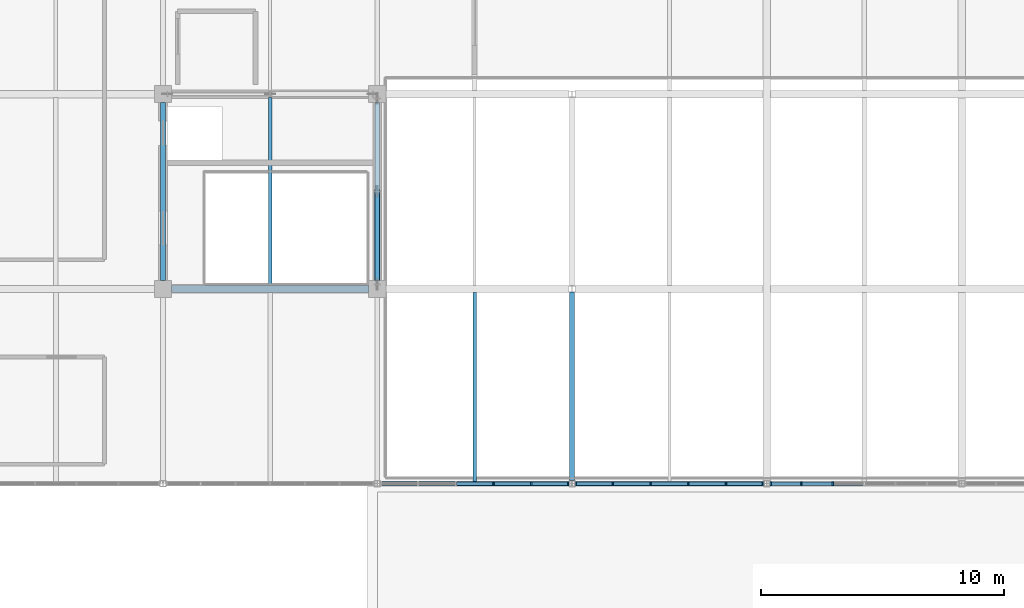
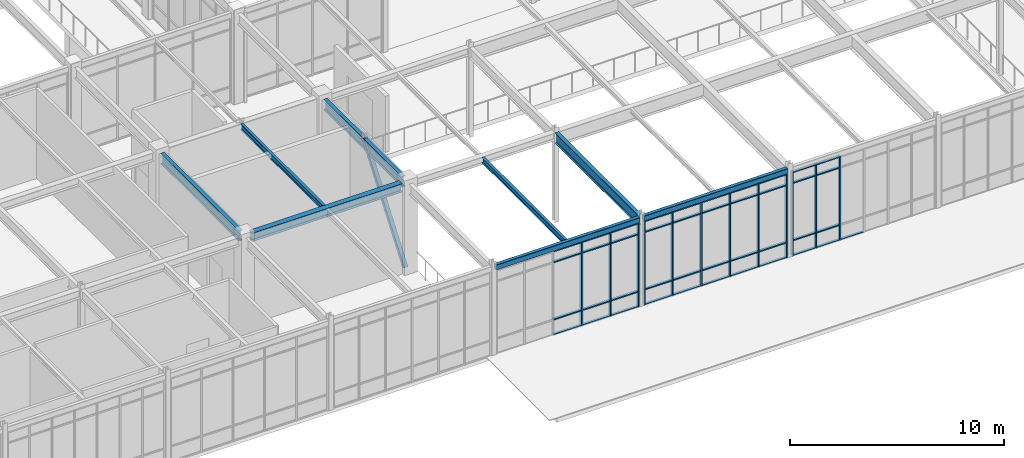
# One storey, part 31 of 184: 54 members, 8 beams, 3 elements without a shape of their own.
"""IFC4 building model written with IfcOpenShell, lengths in metres."""

import ifcopenshell
import ifcopenshell.guid

model = None  # the IFC model being written
_history = None  # IfcOwnerHistory: only IFC2X3 demands one
_inside = {}  # id of a spatial element -> (the spatial element, [elements in it])
_under = {}  # id of a project, library or spatial element -> (it, [spatial elements below it])
_declared = {}  # id of a project -> (the project, [libraries it declares])
_typed = {}  # id of a type object -> (the type object, [elements of that type])
_made_of = {}  # id of a material, layer set ... -> (it, [elements and type objects made of it])


def new_model(schema):
    """Start an empty IFC model of exactly this schema.

    Asked for "IFC4X3", IfcOpenShell would pick the latest addendum, in which some entities
    have other attributes; the version numbers below select the first issue.
    IFC2X3 requires an IfcOwnerHistory on every rooted entity: one is made here for all.
    """
    global model, _history
    if schema == "IFC4X3":
        model = ifcopenshell.file(schema_version=(4, 3, 0, 0))
    else:
        model = ifcopenshell.file(schema=schema)
    _inside.clear()
    _under.clear()
    _declared.clear()
    _typed.clear()
    _made_of.clear()
    _history = None
    if model.schema == "IFC2X3":
        org = make("IfcOrganization", Name="unknown")
        user = make(
            "IfcPersonAndOrganization",
            ThePerson=make("IfcPerson", FamilyName="unknown"),
            TheOrganization=org,
        )
        app = make(
            "IfcApplication",
            ApplicationDeveloper=org,
            Version="unknown",
            ApplicationFullName="unknown",
            ApplicationIdentifier="unknown",
        )
        _history = make(
            "IfcOwnerHistory",
            OwningUser=user,
            OwningApplication=app,
            ChangeAction="ADDED",
            CreationDate=0,
        )
    return model


def make(cls, **values):
    """One entity of the class cls with the attributes given. An attribute that is None is left unset."""
    return model.create_entity(
        cls, **{name: value for name, value in values.items() if value is not None}
    )


def rooted(cls, **values):
    """An entity with a GlobalId (a new one), such as an element, a storey or a relation."""
    return make(cls, GlobalId=ifcopenshell.guid.new(), OwnerHistory=_history, **values)


def si_unit(unit_type, name, prefix=None):
    """IfcSIUnit, for example si_unit("LENGTHUNIT", "METRE", prefix="MILLI")."""
    return make("IfcSIUnit", UnitType=unit_type, Prefix=prefix, Name=name)


def assignment(units):
    """IfcUnitAssignment: the units of a project."""
    return None if units is None else make("IfcUnitAssignment", Units=units)


def point(xyz):
    """IfcCartesianPoint."""
    return None if xyz is None else make("IfcCartesianPoint", Coordinates=xyz)


def direction(xyz):
    """IfcDirection."""
    return None if xyz is None else make("IfcDirection", DirectionRatios=xyz)


def frame(location, z_axis=None, x_axis=None):
    """IfcAxis2Placement3D, a coordinate frame: its origin and axes. An axis left out is left unset."""
    return make(
        "IfcAxis2Placement3D",
        Location=point(location),
        Axis=direction(z_axis),
        RefDirection=direction(x_axis),
    )


def frame_2d(location, x_axis=None):
    """IfcAxis2Placement2D, a coordinate frame in the plane: its origin and x axis."""
    return make(
        "IfcAxis2Placement2D", Location=point(location), RefDirection=direction(x_axis)
    )


def origin():
    """The frame at (0, 0, 0) with its axes left unset."""
    return frame((0.0, 0.0, 0.0))


def origin_2d():
    """The frame at (0, 0) in the plane with its x axis left unset."""
    return frame_2d((0.0, 0.0))


def place(relative_to, where):
    """IfcLocalPlacement: puts the frame where relative to a parent placement (None: the world)."""
    return make(
        "IfcLocalPlacement", PlacementRelTo=relative_to, RelativePlacement=where
    )


def context(
    kind, dimensions, precision=None, world=None, true_north=None, identifier=None
):
    """IfcGeometricRepresentationContext, for example the 3D "Model" context."""
    return make(
        "IfcGeometricRepresentationContext",
        ContextIdentifier=identifier,
        ContextType=kind,
        CoordinateSpaceDimension=dimensions,
        Precision=precision,
        WorldCoordinateSystem=world,
        TrueNorth=true_north,
    )


def subcontext(parent, identifier, kind, view, scale=None):
    """IfcGeometricRepresentationSubContext, for example "Body" below "Model"."""
    return make(
        "IfcGeometricRepresentationSubContext",
        ContextIdentifier=identifier,
        ContextType=kind,
        ParentContext=parent,
        TargetScale=scale,
        TargetView=view,
    )


def project(units=None, contexts=None):
    """IfcProject with its units and contexts."""
    return rooted(
        "IfcProject",
        Name="project",
        RepresentationContexts=contexts,
        UnitsInContext=assignment(units),
    )


def spatial(cls, under=None, at=None, **own):
    """A site, building, storey or space (cls), placed at a placement, below another one or the project."""
    s = rooted(cls, ObjectPlacement=at, **own)
    if under is not None:
        _under.setdefault(under.id(), (under, []))[1].append(s)
    return s


def profile(cls, at=None, kind="AREA", **sizes):
    """A parametric profile (cls). Its sizes go by their IFC names, for example OverallWidth=200.0."""
    return make(cls, ProfileType=kind, Position=at, **sizes)


def rectangle(**sizes):
    """IfcRectangleProfileDef."""
    return profile("IfcRectangleProfileDef", **sizes)


def hollow_rectangle(**sizes):
    """IfcRectangleHollowProfileDef."""
    return profile("IfcRectangleHollowProfileDef", **sizes)


def i_section(**sizes):
    """IfcIShapeProfileDef."""
    return profile("IfcIShapeProfileDef", **sizes)


def extrude(swept, where, along, depth):
    """IfcExtrudedAreaSolid: the profile swept, set in the frame where, extruded along a direction by depth."""
    return make(
        "IfcExtrudedAreaSolid",
        SweptArea=swept,
        Position=where,
        ExtrudedDirection=direction(along),
        Depth=depth,
    )


def shape(context_of_items, identifier, shape_type, items):
    """IfcShapeRepresentation: the items that make up one representation, for example the "Body"."""
    return make(
        "IfcShapeRepresentation",
        ContextOfItems=context_of_items,
        RepresentationIdentifier=identifier,
        RepresentationType=shape_type,
        Items=items,
    )


def material(Name=None, Category=None):
    """IfcMaterial."""
    return make("IfcMaterial", Name=Name, Category=Category)


def material_profile(
    of_material, cross_section, Name=None, Category=None, Priority=None
):
    """IfcMaterialProfile: a cross section and its material."""
    return make(
        "IfcMaterialProfile",
        Name=Name,
        Material=of_material,
        Profile=cross_section,
        Priority=Priority,
        Category=Category,
    )


def profile_set(profiles, Name=None, composite=None):
    """IfcMaterialProfileSet."""
    return make(
        "IfcMaterialProfileSet",
        Name=Name,
        MaterialProfiles=profiles,
        CompositeProfile=composite,
    )


def made_of(thing, what):
    """Note that an element or type object is made of a material, layer set ...; save() writes the relation."""
    if what is not None:
        _made_of.setdefault(what.id(), (what, []))[1].append(thing)
    return thing


def type_object(cls, material=None, **own):
    """A type object (cls), such as IfcWallType, which elements share."""
    return made_of(rooted(cls, **own), material)


def element(
    cls,
    number,
    at=None,
    inside=None,
    cuts=None,
    type_object=None,
    material=None,
    context=None,
    identifier="Body",
    shape_type=None,
    held_by="IfcProductDefinitionShape",
    body=None,
    shapes=None,
    **own,
):
    """One element of the class cls, such as IfcWall. Its Tag is "e" and its number.

    at: its placement. inside: the storey or other place that contains it. cuts: it is an
    opening in that element (IfcRelVoidsElement). A single representation is given by context,
    identifier, shape_type and body (its items); several are given by shapes. held_by: the class
    of the entity that holds the representations. save() writes the other relations.
    """
    e = rooted(cls, Tag="e%d" % number, ObjectPlacement=at, **own)
    if body is not None:
        shapes = [shape(context, identifier, shape_type, body)]
    if shapes is not None:
        e.Representation = make(held_by, Representations=shapes)
    if inside is not None:
        _inside.setdefault(inside.id(), (inside, []))[1].append(e)
    if cuts is not None:
        rooted(
            "IfcRelVoidsElement", RelatingBuildingElement=cuts, RelatedOpeningElement=e
        )
    if type_object is not None:
        _typed.setdefault(type_object.id(), (type_object, []))[1].append(e)
    return made_of(e, material)


def aggregate(whole, parts):
    """IfcRelAggregates: a whole, such as a stair, and the parts it consists of."""
    return rooted("IfcRelAggregates", RelatingObject=whole, RelatedObjects=parts)


def save(model, path):
    """Write the relations noted so far, then the file.

    IfcRelAggregates (storeys below a building ...), IfcRelContainedInSpatialStructure (elements
    in a storey), IfcRelDefinesByType, IfcRelAssociatesMaterial and IfcRelDeclares: one each for
    every whole, place, type object, material and project.
    """
    for whole, parts in _under.values():
        aggregate(whole, parts)
    for where, things in _inside.values():
        rooted(
            "IfcRelContainedInSpatialStructure",
            RelatedElements=things,
            RelatingStructure=where,
        )
    for kind, things in _typed.values():
        rooted("IfcRelDefinesByType", RelatedObjects=things, RelatingType=kind)
    for what, things in _made_of.values():
        rooted("IfcRelAssociatesMaterial", RelatedObjects=things, RelatingMaterial=what)
    for by, libraries in _declared.values():
        rooted("IfcRelDeclares", RelatingContext=by, RelatedDefinitions=libraries)
    model.write(path)


model = new_model("IFC4")

# Units and contexts
model_context = context("Model", 3, precision=1e-05, world=origin(), true_north=direction((0.0, 1.0)))
body_context = subcontext(model_context, "Body", "Model", "MODEL_VIEW")
ifc_project = project(units=[si_unit("LENGTHUNIT", "METRE"), si_unit("AREAUNIT", "SQUARE_METRE"), si_unit("VOLUMEUNIT", "CUBIC_METRE"), si_unit("PLANEANGLEUNIT", "RADIAN"), si_unit("MASSUNIT", "GRAM", prefix="KILO")], contexts=[model_context])

# Site, building, storey
site_placement = place(None, origin())
site = spatial("IfcSite", under=ifc_project, at=site_placement, CompositionType="ELEMENT")
building_placement = place(site_placement, origin())
building = spatial("IfcBuilding", under=site, at=building_placement, Name="Zhaolan Boulevard Law Courts", CompositionType="ELEMENT")
storey_placement = place(building_placement, frame((0.0, 0.0, 5.39990234375)))
storey = spatial("IfcBuildingStorey", under=building, at=storey_placement, Name="L01", CompositionType="ELEMENT", Elevation=5.39990234375)

# Member
ifc_material_1 = material(Name="Structural steel Q355B", Category="steel")
ifc_material_profile_1 = material_profile(ifc_material_1, hollow_rectangle(XDim=0.219970703125, YDim=0.219970703125, WallThickness=0.010009765625, InnerFilletRadius=0.010009765625, OuterFilletRadius=0.02001953125, at=origin_2d()), Name="HSS220x220x10")
ifc_profile_set_1 = profile_set([ifc_material_profile_1], Name="Structural steel Q355B")
member_type_1 = type_object("IfcMemberType", Name="BRACE HSS220", PredefinedType="BRACE", material=ifc_profile_set_1)
member_1_placement = place(storey_placement, frame((44.0, 14.179931640625, 0.030029296875), z_axis=(0.0, 0.600251625626, 0.799811218935), x_axis=(-1.0, 0.0, 0.0)))
element("IfcMember", 1, at=member_1_placement, inside=storey, type_object=member_type_1, Name="Core Brace BR-P1-L01-E1", PredefinedType="BRACE", context=body_context, shape_type="SweptSolid", body=[
    extrude(hollow_rectangle(XDim=0.219970703125, YDim=0.219970703125, WallThickness=0.010009765625, InnerFilletRadius=0.010009765625, OuterFilletRadius=0.02001953125, at=origin_2d()), origin(), (0.0, 0.0, 1.0), 6.364013671875),
])

# Curtain wall, members
ifc_material_2 = material(Name="Thermally broken aluminium and low-E glazing", Category="aluminium")
curtain_wall_type_1 = type_object("IfcCurtainWallType", Name="CURTAIN WALL M9", PredefinedType="USERDEFINED", material=ifc_material_2)
curtain_wall_1_placement = place(storey_placement, origin())
curtain_wall_1 = element("IfcCurtainWall", 2, at=curtain_wall_1_placement, inside=storey, type_object=curtain_wall_type_1, Name="Curtain Wall CW-L01-033", ObjectType="CURTAIN WALL", PredefinedType="USERDEFINED")
ifc_material_3 = material(Name="Fluorocarbon-coated aluminium 6063-T6", Category="aluminium")
ifc_material_profile_2 = material_profile(ifc_material_3, rectangle(XDim=0.179931640625, YDim=0.06494140625, at=origin_2d()), Name="AL65x180")
ifc_profile_set_2 = profile_set([ifc_material_profile_2], Name="Fluorocarbon-coated aluminium 6063-T6")
member_type_2 = type_object("IfcMemberType", Name="CWMULLION 65X180", PredefinedType="MULLION", material=ifc_profile_set_2)
member_2_placement = place(storey_placement, frame((48.774658203125, 6.0, 0.0), z_axis=(0.0, 0.0, 1.0), x_axis=(0.0, 1.0, 0.0)))
member_2 = element("IfcMember", 3, at=member_2_placement, type_object=member_type_2, Name="CW-L01-033 mullion 4", PredefinedType="MULLION", context=body_context, shape_type="SweptSolid", body=[
    extrude(rectangle(XDim=0.179931640625, YDim=0.06494140625, at=origin_2d()), origin(), (0.0, 0.0, 1.0), 4.822998046875),
])
member_3_placement = place(storey_placement, frame((50.32373046875, 6.0, 0.0), z_axis=(0.0, 0.0, 1.0), x_axis=(0.0, 1.0, 0.0)))
member_3 = element("IfcMember", 4, at=member_3_placement, type_object=member_type_2, Name="CW-L01-033 mullion 5", PredefinedType="MULLION", context=body_context, shape_type="SweptSolid", body=[
    extrude(rectangle(XDim=0.179931640625, YDim=0.06494140625, at=origin_2d()), origin(), (0.0, 0.0, 1.0), 4.822998046875),
])
member_4_placement = place(storey_placement, frame((51.840576171875, 6.0, 0.0), z_axis=(0.0, 0.0, 1.0), x_axis=(0.0, 1.0, 0.0)))
member_4 = element("IfcMember", 5, at=member_4_placement, type_object=member_type_2, Name="CW-L01-033 mullion 6", PredefinedType="MULLION", context=body_context, shape_type="SweptSolid", body=[
    extrude(rectangle(XDim=0.179931640625, YDim=0.06494140625, at=origin_2d()), origin(), (0.0, 0.0, 1.0), 4.822998046875),
])

ifc_material_4 = material(Name="Thermally broken aluminium and low-E glazing", Category="aluminium")
curtain_wall_type_2 = type_object("IfcCurtainWallType", Name="CURTAIN WALL M10", PredefinedType="USERDEFINED", material=ifc_material_4)
curtain_wall_2_placement = place(storey_placement, origin())
curtain_wall_2 = element("IfcCurtainWall", 6, at=curtain_wall_2_placement, inside=storey, type_object=curtain_wall_type_2, Name="Curtain Wall CW-L01-034", ObjectType="CURTAIN WALL", PredefinedType="USERDEFINED")
member_5_placement = place(storey_placement, frame((52.159423828125, 6.0, 0.0), z_axis=(0.0, 0.0, 1.0), x_axis=(0.0, 1.0, 0.0)))
member_5 = element("IfcMember", 7, at=member_5_placement, type_object=member_type_2, Name="CW-L01-034 mullion 1", PredefinedType="MULLION", context=body_context, shape_type="SweptSolid", body=[
    extrude(rectangle(XDim=0.179931640625, YDim=0.06494140625, at=origin_2d()), origin(), (0.0, 0.0, 1.0), 4.822998046875),
])
member_6_placement = place(storey_placement, frame((53.67626953125, 6.0, 0.0), z_axis=(0.0, 0.0, 1.0), x_axis=(0.0, 1.0, 0.0)))
member_6 = element("IfcMember", 8, at=member_6_placement, type_object=member_type_2, Name="CW-L01-034 mullion 2", PredefinedType="MULLION", context=body_context, shape_type="SweptSolid", body=[
    extrude(rectangle(XDim=0.179931640625, YDim=0.06494140625, at=origin_2d()), origin(), (0.0, 0.0, 1.0), 4.822998046875),
])
member_7_placement = place(storey_placement, frame((55.225341796875, 6.0, 0.0), z_axis=(0.0, 0.0, 1.0), x_axis=(0.0, 1.0, 0.0)))
member_7 = element("IfcMember", 9, at=member_7_placement, type_object=member_type_2, Name="CW-L01-034 mullion 3", PredefinedType="MULLION", context=body_context, shape_type="SweptSolid", body=[
    extrude(rectangle(XDim=0.179931640625, YDim=0.06494140625, at=origin_2d()), origin(), (0.0, 0.0, 1.0), 4.822998046875),
])
member_8_placement = place(storey_placement, frame((56.774658203125, 6.0, 0.0), z_axis=(0.0, 0.0, 1.0), x_axis=(0.0, 1.0, 0.0)))
member_8 = element("IfcMember", 10, at=member_8_placement, type_object=member_type_2, Name="CW-L01-034 mullion 4", PredefinedType="MULLION", context=body_context, shape_type="SweptSolid", body=[
    extrude(rectangle(XDim=0.179931640625, YDim=0.06494140625, at=origin_2d()), origin(), (0.0, 0.0, 1.0), 4.822998046875),
])
member_9_placement = place(storey_placement, frame((58.32373046875, 6.0, 0.0), z_axis=(0.0, 0.0, 1.0), x_axis=(0.0, 1.0, 0.0)))
member_9 = element("IfcMember", 11, at=member_9_placement, type_object=member_type_2, Name="CW-L01-034 mullion 5", PredefinedType="MULLION", context=body_context, shape_type="SweptSolid", body=[
    extrude(rectangle(XDim=0.179931640625, YDim=0.06494140625, at=origin_2d()), origin(), (0.0, 0.0, 1.0), 4.822998046875),
])
member_10_placement = place(storey_placement, frame((59.840576171875, 6.0, 0.0), z_axis=(0.0, 0.0, 1.0), x_axis=(0.0, 1.0, 0.0)))
member_10 = element("IfcMember", 12, at=member_10_placement, type_object=member_type_2, Name="CW-L01-034 mullion 6", PredefinedType="MULLION", context=body_context, shape_type="SweptSolid", body=[
    extrude(rectangle(XDim=0.179931640625, YDim=0.06494140625, at=origin_2d()), origin(), (0.0, 0.0, 1.0), 4.822998046875),
])

ifc_material_5 = material(Name="Thermally broken aluminium and low-E glazing", Category="aluminium")
curtain_wall_type_3 = type_object("IfcCurtainWallType", Name="CURTAIN WALL M11", PredefinedType="USERDEFINED", material=ifc_material_5)
curtain_wall_3_placement = place(storey_placement, origin())
curtain_wall_3 = element("IfcCurtainWall", 13, at=curtain_wall_3_placement, inside=storey, type_object=curtain_wall_type_3, Name="Curtain Wall CW-L01-035", ObjectType="CURTAIN WALL", PredefinedType="USERDEFINED")
member_11_placement = place(storey_placement, frame((60.159423828125, 6.0, 0.0), z_axis=(0.0, 0.0, 1.0), x_axis=(0.0, 1.0, 0.0)))
member_11 = element("IfcMember", 14, at=member_11_placement, type_object=member_type_2, Name="CW-L01-035 mullion 1", PredefinedType="MULLION", context=body_context, shape_type="SweptSolid", body=[
    extrude(rectangle(XDim=0.179931640625, YDim=0.06494140625, at=origin_2d()), origin(), (0.0, 0.0, 1.0), 4.822998046875),
])
member_12_placement = place(storey_placement, frame((61.41796875, 6.0, 0.0), z_axis=(0.0, 0.0, 1.0), x_axis=(0.0, 1.0, 0.0)))
member_12 = element("IfcMember", 15, at=member_12_placement, type_object=member_type_2, Name="CW-L01-035 mullion 2", PredefinedType="MULLION", context=body_context, shape_type="SweptSolid", body=[
    extrude(rectangle(XDim=0.179931640625, YDim=0.06494140625, at=origin_2d()), origin(), (0.0, 0.0, 1.0), 4.822998046875),
])
member_13_placement = place(storey_placement, frame((62.708984375, 6.0, 0.0), z_axis=(0.0, 0.0, 1.0), x_axis=(0.0, 1.0, 0.0)))
member_13 = element("IfcMember", 16, at=member_13_placement, type_object=member_type_2, Name="CW-L01-035 mullion 3", PredefinedType="MULLION", context=body_context, shape_type="SweptSolid", body=[
    extrude(rectangle(XDim=0.179931640625, YDim=0.06494140625, at=origin_2d()), origin(), (0.0, 0.0, 1.0), 4.822998046875),
])

# Member
ifc_material_6 = material(Name="Fluorocarbon-coated aluminium 6063-T6", Category="aluminium")
ifc_material_profile_3 = material_profile(ifc_material_6, rectangle(XDim=0.139892578125, YDim=0.06494140625, at=origin_2d()), Name="AL65x140")
ifc_profile_set_3 = profile_set([ifc_material_profile_3], Name="Fluorocarbon-coated aluminium 6063-T6")
member_type_3 = type_object("IfcMemberType", Name="CWTRANSOM 65X140", PredefinedType="USERDEFINED", material=ifc_profile_set_3)
member_14_placement = place(storey_placement, frame((47.2578125, 6.0, 0.03271484375), z_axis=(1.0, 0.0, 0.0), x_axis=(0.0, 1.0, 0.0)))
member_14 = element("IfcMember", 17, at=member_14_placement, type_object=member_type_3, Name="CW-L01-033 transom 3.1", ObjectType="TRANSOM", PredefinedType="USERDEFINED", context=body_context, shape_type="SweptSolid", body=[
    extrude(rectangle(XDim=0.139892578125, YDim=0.06494140625, at=origin_2d()), origin(), (0.0, 0.0, 1.0), 1.484375),
])

member_15_placement = place(storey_placement, frame((47.2578125, 6.0, 0.900146484375), z_axis=(1.0, 0.0, 0.0), x_axis=(0.0, 1.0, 0.0)))
member_15 = element("IfcMember", 18, at=member_15_placement, type_object=member_type_3, Name="CW-L01-033 transom 3.2", ObjectType="TRANSOM", PredefinedType="USERDEFINED", context=body_context, shape_type="SweptSolid", body=[
    extrude(rectangle(XDim=0.139892578125, YDim=0.06494140625, at=origin_2d()), origin(), (0.0, 0.0, 1.0), 1.484375),
])

member_16_placement = place(storey_placement, frame((47.2578125, 6.0, 4.173095703125), z_axis=(1.0, 0.0, 0.0), x_axis=(0.0, 1.0, 0.0)))
member_16 = element("IfcMember", 19, at=member_16_placement, type_object=member_type_3, Name="CW-L01-033 transom 3.3", ObjectType="TRANSOM", PredefinedType="USERDEFINED", context=body_context, shape_type="SweptSolid", body=[
    extrude(rectangle(XDim=0.139892578125, YDim=0.06494140625, at=origin_2d()), origin(), (0.0, 0.0, 1.0), 1.484375),
])

member_17_placement = place(storey_placement, frame((47.2578125, 6.0, 4.79052734375), z_axis=(1.0, 0.0, 0.0), x_axis=(0.0, 1.0, 0.0)))
member_17 = element("IfcMember", 20, at=member_17_placement, type_object=member_type_3, Name="CW-L01-033 transom 3.4", ObjectType="TRANSOM", PredefinedType="USERDEFINED", context=body_context, shape_type="SweptSolid", body=[
    extrude(rectangle(XDim=0.139892578125, YDim=0.06494140625, at=origin_2d()), origin(), (0.0, 0.0, 1.0), 1.484375),
])

member_18_placement = place(storey_placement, frame((48.80712890625, 6.0, 0.03271484375), z_axis=(1.0, 0.0, 0.0), x_axis=(0.0, 1.0, 0.0)))
member_18 = element("IfcMember", 21, at=member_18_placement, type_object=member_type_3, Name="CW-L01-033 transom 4.1", ObjectType="TRANSOM", PredefinedType="USERDEFINED", context=body_context, shape_type="SweptSolid", body=[
    extrude(rectangle(XDim=0.139892578125, YDim=0.06494140625, at=origin_2d()), origin(), (0.0, 0.0, 1.0), 1.484130859375),
])

member_19_placement = place(storey_placement, frame((48.80712890625, 6.0, 0.900146484375), z_axis=(1.0, 0.0, 0.0), x_axis=(0.0, 1.0, 0.0)))
member_19 = element("IfcMember", 22, at=member_19_placement, type_object=member_type_3, Name="CW-L01-033 transom 4.2", ObjectType="TRANSOM", PredefinedType="USERDEFINED", context=body_context, shape_type="SweptSolid", body=[
    extrude(rectangle(XDim=0.139892578125, YDim=0.06494140625, at=origin_2d()), origin(), (0.0, 0.0, 1.0), 1.484130859375),
])

member_20_placement = place(storey_placement, frame((48.80712890625, 6.0, 4.173095703125), z_axis=(1.0, 0.0, 0.0), x_axis=(0.0, 1.0, 0.0)))
member_20 = element("IfcMember", 23, at=member_20_placement, type_object=member_type_3, Name="CW-L01-033 transom 4.3", ObjectType="TRANSOM", PredefinedType="USERDEFINED", context=body_context, shape_type="SweptSolid", body=[
    extrude(rectangle(XDim=0.139892578125, YDim=0.06494140625, at=origin_2d()), origin(), (0.0, 0.0, 1.0), 1.484130859375),
])

member_21_placement = place(storey_placement, frame((48.80712890625, 6.0, 4.79052734375), z_axis=(1.0, 0.0, 0.0), x_axis=(0.0, 1.0, 0.0)))
member_21 = element("IfcMember", 24, at=member_21_placement, type_object=member_type_3, Name="CW-L01-033 transom 4.4", ObjectType="TRANSOM", PredefinedType="USERDEFINED", context=body_context, shape_type="SweptSolid", body=[
    extrude(rectangle(XDim=0.139892578125, YDim=0.06494140625, at=origin_2d()), origin(), (0.0, 0.0, 1.0), 1.484130859375),
])

member_22_placement = place(storey_placement, frame((50.356201171875, 6.0, 0.03271484375), z_axis=(1.0, 0.0, 0.0), x_axis=(0.0, 1.0, 0.0)))
member_22 = element("IfcMember", 25, at=member_22_placement, type_object=member_type_3, Name="CW-L01-033 transom 5.1", ObjectType="TRANSOM", PredefinedType="USERDEFINED", context=body_context, shape_type="SweptSolid", body=[
    extrude(rectangle(XDim=0.139892578125, YDim=0.06494140625, at=origin_2d()), origin(), (0.0, 0.0, 1.0), 1.451904296875),
])

member_23_placement = place(storey_placement, frame((50.356201171875, 6.0, 0.900146484375), z_axis=(1.0, 0.0, 0.0), x_axis=(0.0, 1.0, 0.0)))
member_23 = element("IfcMember", 26, at=member_23_placement, type_object=member_type_3, Name="CW-L01-033 transom 5.2", ObjectType="TRANSOM", PredefinedType="USERDEFINED", context=body_context, shape_type="SweptSolid", body=[
    extrude(rectangle(XDim=0.139892578125, YDim=0.06494140625, at=origin_2d()), origin(), (0.0, 0.0, 1.0), 1.451904296875),
])

member_24_placement = place(storey_placement, frame((50.356201171875, 6.0, 4.173095703125), z_axis=(1.0, 0.0, 0.0), x_axis=(0.0, 1.0, 0.0)))
member_24 = element("IfcMember", 27, at=member_24_placement, type_object=member_type_3, Name="CW-L01-033 transom 5.3", ObjectType="TRANSOM", PredefinedType="USERDEFINED", context=body_context, shape_type="SweptSolid", body=[
    extrude(rectangle(XDim=0.139892578125, YDim=0.06494140625, at=origin_2d()), origin(), (0.0, 0.0, 1.0), 1.451904296875),
])

member_25_placement = place(storey_placement, frame((50.356201171875, 6.0, 4.79052734375), z_axis=(1.0, 0.0, 0.0), x_axis=(0.0, 1.0, 0.0)))
member_25 = element("IfcMember", 28, at=member_25_placement, type_object=member_type_3, Name="CW-L01-033 transom 5.4", ObjectType="TRANSOM", PredefinedType="USERDEFINED", context=body_context, shape_type="SweptSolid", body=[
    extrude(rectangle(XDim=0.139892578125, YDim=0.06494140625, at=origin_2d()), origin(), (0.0, 0.0, 1.0), 1.451904296875),
])

aggregate(curtain_wall_1, [member_2, member_3, member_4, member_14, member_15, member_16, member_17, member_18, member_19, member_20, member_21, member_22, member_23, member_24, member_25])

member_26_placement = place(storey_placement, frame((52.19189453125, 6.0, 0.03271484375), z_axis=(1.0, 0.0, 0.0), x_axis=(0.0, 1.0, 0.0)))
member_26 = element("IfcMember", 29, at=member_26_placement, type_object=member_type_3, Name="CW-L01-034 transom 1.1", ObjectType="TRANSOM", PredefinedType="USERDEFINED", context=body_context, shape_type="SweptSolid", body=[
    extrude(rectangle(XDim=0.139892578125, YDim=0.06494140625, at=origin_2d()), origin(), (0.0, 0.0, 1.0), 1.451904296875),
])

member_27_placement = place(storey_placement, frame((52.19189453125, 6.0, 0.900146484375), z_axis=(1.0, 0.0, 0.0), x_axis=(0.0, 1.0, 0.0)))
member_27 = element("IfcMember", 30, at=member_27_placement, type_object=member_type_3, Name="CW-L01-034 transom 1.2", ObjectType="TRANSOM", PredefinedType="USERDEFINED", context=body_context, shape_type="SweptSolid", body=[
    extrude(rectangle(XDim=0.139892578125, YDim=0.06494140625, at=origin_2d()), origin(), (0.0, 0.0, 1.0), 1.451904296875),
])

member_28_placement = place(storey_placement, frame((52.19189453125, 6.0, 4.173095703125), z_axis=(1.0, 0.0, 0.0), x_axis=(0.0, 1.0, 0.0)))
member_28 = element("IfcMember", 31, at=member_28_placement, type_object=member_type_3, Name="CW-L01-034 transom 1.3", ObjectType="TRANSOM", PredefinedType="USERDEFINED", context=body_context, shape_type="SweptSolid", body=[
    extrude(rectangle(XDim=0.139892578125, YDim=0.06494140625, at=origin_2d()), origin(), (0.0, 0.0, 1.0), 1.451904296875),
])

member_29_placement = place(storey_placement, frame((52.19189453125, 6.0, 4.79052734375), z_axis=(1.0, 0.0, 0.0), x_axis=(0.0, 1.0, 0.0)))
member_29 = element("IfcMember", 32, at=member_29_placement, type_object=member_type_3, Name="CW-L01-034 transom 1.4", ObjectType="TRANSOM", PredefinedType="USERDEFINED", context=body_context, shape_type="SweptSolid", body=[
    extrude(rectangle(XDim=0.139892578125, YDim=0.06494140625, at=origin_2d()), origin(), (0.0, 0.0, 1.0), 1.451904296875),
])

member_30_placement = place(storey_placement, frame((53.708740234375, 6.0, 0.03271484375), z_axis=(1.0, 0.0, 0.0), x_axis=(0.0, 1.0, 0.0)))
member_30 = element("IfcMember", 33, at=member_30_placement, type_object=member_type_3, Name="CW-L01-034 transom 2.1", ObjectType="TRANSOM", PredefinedType="USERDEFINED", context=body_context, shape_type="SweptSolid", body=[
    extrude(rectangle(XDim=0.139892578125, YDim=0.06494140625, at=origin_2d()), origin(), (0.0, 0.0, 1.0), 1.484130859375),
])

member_31_placement = place(storey_placement, frame((53.708740234375, 6.0, 0.900146484375), z_axis=(1.0, 0.0, 0.0), x_axis=(0.0, 1.0, 0.0)))
member_31 = element("IfcMember", 34, at=member_31_placement, type_object=member_type_3, Name="CW-L01-034 transom 2.2", ObjectType="TRANSOM", PredefinedType="USERDEFINED", context=body_context, shape_type="SweptSolid", body=[
    extrude(rectangle(XDim=0.139892578125, YDim=0.06494140625, at=origin_2d()), origin(), (0.0, 0.0, 1.0), 1.484130859375),
])

member_32_placement = place(storey_placement, frame((53.708740234375, 6.0, 4.173095703125), z_axis=(1.0, 0.0, 0.0), x_axis=(0.0, 1.0, 0.0)))
member_32 = element("IfcMember", 35, at=member_32_placement, type_object=member_type_3, Name="CW-L01-034 transom 2.3", ObjectType="TRANSOM", PredefinedType="USERDEFINED", context=body_context, shape_type="SweptSolid", body=[
    extrude(rectangle(XDim=0.139892578125, YDim=0.06494140625, at=origin_2d()), origin(), (0.0, 0.0, 1.0), 1.484130859375),
])

member_33_placement = place(storey_placement, frame((53.708740234375, 6.0, 4.79052734375), z_axis=(1.0, 0.0, 0.0), x_axis=(0.0, 1.0, 0.0)))
member_33 = element("IfcMember", 36, at=member_33_placement, type_object=member_type_3, Name="CW-L01-034 transom 2.4", ObjectType="TRANSOM", PredefinedType="USERDEFINED", context=body_context, shape_type="SweptSolid", body=[
    extrude(rectangle(XDim=0.139892578125, YDim=0.06494140625, at=origin_2d()), origin(), (0.0, 0.0, 1.0), 1.484130859375),
])

member_34_placement = place(storey_placement, frame((55.2578125, 6.0, 0.03271484375), z_axis=(1.0, 0.0, 0.0), x_axis=(0.0, 1.0, 0.0)))
member_34 = element("IfcMember", 37, at=member_34_placement, type_object=member_type_3, Name="CW-L01-034 transom 3.1", ObjectType="TRANSOM", PredefinedType="USERDEFINED", context=body_context, shape_type="SweptSolid", body=[
    extrude(rectangle(XDim=0.139892578125, YDim=0.06494140625, at=origin_2d()), origin(), (0.0, 0.0, 1.0), 1.484375),
])

member_35_placement = place(storey_placement, frame((55.2578125, 6.0, 0.900146484375), z_axis=(1.0, 0.0, 0.0), x_axis=(0.0, 1.0, 0.0)))
member_35 = element("IfcMember", 38, at=member_35_placement, type_object=member_type_3, Name="CW-L01-034 transom 3.2", ObjectType="TRANSOM", PredefinedType="USERDEFINED", context=body_context, shape_type="SweptSolid", body=[
    extrude(rectangle(XDim=0.139892578125, YDim=0.06494140625, at=origin_2d()), origin(), (0.0, 0.0, 1.0), 1.484375),
])

member_36_placement = place(storey_placement, frame((55.2578125, 6.0, 4.173095703125), z_axis=(1.0, 0.0, 0.0), x_axis=(0.0, 1.0, 0.0)))
member_36 = element("IfcMember", 39, at=member_36_placement, type_object=member_type_3, Name="CW-L01-034 transom 3.3", ObjectType="TRANSOM", PredefinedType="USERDEFINED", context=body_context, shape_type="SweptSolid", body=[
    extrude(rectangle(XDim=0.139892578125, YDim=0.06494140625, at=origin_2d()), origin(), (0.0, 0.0, 1.0), 1.484375),
])

member_37_placement = place(storey_placement, frame((55.2578125, 6.0, 4.79052734375), z_axis=(1.0, 0.0, 0.0), x_axis=(0.0, 1.0, 0.0)))
member_37 = element("IfcMember", 40, at=member_37_placement, type_object=member_type_3, Name="CW-L01-034 transom 3.4", ObjectType="TRANSOM", PredefinedType="USERDEFINED", context=body_context, shape_type="SweptSolid", body=[
    extrude(rectangle(XDim=0.139892578125, YDim=0.06494140625, at=origin_2d()), origin(), (0.0, 0.0, 1.0), 1.484375),
])

member_38_placement = place(storey_placement, frame((56.80712890625, 6.0, 0.03271484375), z_axis=(1.0, 0.0, 0.0), x_axis=(0.0, 1.0, 0.0)))
member_38 = element("IfcMember", 41, at=member_38_placement, type_object=member_type_3, Name="CW-L01-034 transom 4.1", ObjectType="TRANSOM", PredefinedType="USERDEFINED", context=body_context, shape_type="SweptSolid", body=[
    extrude(rectangle(XDim=0.139892578125, YDim=0.06494140625, at=origin_2d()), origin(), (0.0, 0.0, 1.0), 1.484130859375),
])

member_39_placement = place(storey_placement, frame((56.80712890625, 6.0, 0.900146484375), z_axis=(1.0, 0.0, 0.0), x_axis=(0.0, 1.0, 0.0)))
member_39 = element("IfcMember", 42, at=member_39_placement, type_object=member_type_3, Name="CW-L01-034 transom 4.2", ObjectType="TRANSOM", PredefinedType="USERDEFINED", context=body_context, shape_type="SweptSolid", body=[
    extrude(rectangle(XDim=0.139892578125, YDim=0.06494140625, at=origin_2d()), origin(), (0.0, 0.0, 1.0), 1.484130859375),
])

member_40_placement = place(storey_placement, frame((56.80712890625, 6.0, 4.173095703125), z_axis=(1.0, 0.0, 0.0), x_axis=(0.0, 1.0, 0.0)))
member_40 = element("IfcMember", 43, at=member_40_placement, type_object=member_type_3, Name="CW-L01-034 transom 4.3", ObjectType="TRANSOM", PredefinedType="USERDEFINED", context=body_context, shape_type="SweptSolid", body=[
    extrude(rectangle(XDim=0.139892578125, YDim=0.06494140625, at=origin_2d()), origin(), (0.0, 0.0, 1.0), 1.484130859375),
])

member_41_placement = place(storey_placement, frame((56.80712890625, 6.0, 4.79052734375), z_axis=(1.0, 0.0, 0.0), x_axis=(0.0, 1.0, 0.0)))
member_41 = element("IfcMember", 44, at=member_41_placement, type_object=member_type_3, Name="CW-L01-034 transom 4.4", ObjectType="TRANSOM", PredefinedType="USERDEFINED", context=body_context, shape_type="SweptSolid", body=[
    extrude(rectangle(XDim=0.139892578125, YDim=0.06494140625, at=origin_2d()), origin(), (0.0, 0.0, 1.0), 1.484130859375),
])

member_42_placement = place(storey_placement, frame((58.356201171875, 6.0, 0.03271484375), z_axis=(1.0, 0.0, 0.0), x_axis=(0.0, 1.0, 0.0)))
member_42 = element("IfcMember", 45, at=member_42_placement, type_object=member_type_3, Name="CW-L01-034 transom 5.1", ObjectType="TRANSOM", PredefinedType="USERDEFINED", context=body_context, shape_type="SweptSolid", body=[
    extrude(rectangle(XDim=0.139892578125, YDim=0.06494140625, at=origin_2d()), origin(), (0.0, 0.0, 1.0), 1.451904296875),
])

member_43_placement = place(storey_placement, frame((58.356201171875, 6.0, 0.900146484375), z_axis=(1.0, 0.0, 0.0), x_axis=(0.0, 1.0, 0.0)))
member_43 = element("IfcMember", 46, at=member_43_placement, type_object=member_type_3, Name="CW-L01-034 transom 5.2", ObjectType="TRANSOM", PredefinedType="USERDEFINED", context=body_context, shape_type="SweptSolid", body=[
    extrude(rectangle(XDim=0.139892578125, YDim=0.06494140625, at=origin_2d()), origin(), (0.0, 0.0, 1.0), 1.451904296875),
])

member_44_placement = place(storey_placement, frame((58.356201171875, 6.0, 4.173095703125), z_axis=(1.0, 0.0, 0.0), x_axis=(0.0, 1.0, 0.0)))
member_44 = element("IfcMember", 47, at=member_44_placement, type_object=member_type_3, Name="CW-L01-034 transom 5.3", ObjectType="TRANSOM", PredefinedType="USERDEFINED", context=body_context, shape_type="SweptSolid", body=[
    extrude(rectangle(XDim=0.139892578125, YDim=0.06494140625, at=origin_2d()), origin(), (0.0, 0.0, 1.0), 1.451904296875),
])

member_45_placement = place(storey_placement, frame((58.356201171875, 6.0, 4.79052734375), z_axis=(1.0, 0.0, 0.0), x_axis=(0.0, 1.0, 0.0)))
member_45 = element("IfcMember", 48, at=member_45_placement, type_object=member_type_3, Name="CW-L01-034 transom 5.4", ObjectType="TRANSOM", PredefinedType="USERDEFINED", context=body_context, shape_type="SweptSolid", body=[
    extrude(rectangle(XDim=0.139892578125, YDim=0.06494140625, at=origin_2d()), origin(), (0.0, 0.0, 1.0), 1.451904296875),
])

aggregate(curtain_wall_2, [member_5, member_6, member_7, member_8, member_9, member_10, member_26, member_27, member_28, member_29, member_30, member_31, member_32, member_33, member_34, member_35, member_36, member_37, member_38, member_39, member_40, member_41, member_42, member_43, member_44, member_45])

member_46_placement = place(storey_placement, frame((60.19189453125, 6.0, 0.03271484375), z_axis=(1.0, 0.0, 0.0), x_axis=(0.0, 1.0, 0.0)))
member_46 = element("IfcMember", 49, at=member_46_placement, type_object=member_type_3, Name="CW-L01-035 transom 1.1", ObjectType="TRANSOM", PredefinedType="USERDEFINED", context=body_context, shape_type="SweptSolid", body=[
    extrude(rectangle(XDim=0.139892578125, YDim=0.06494140625, at=origin_2d()), origin(), (0.0, 0.0, 1.0), 1.193603515625),
])

member_47_placement = place(storey_placement, frame((60.19189453125, 6.0, 0.900146484375), z_axis=(1.0, 0.0, 0.0), x_axis=(0.0, 1.0, 0.0)))
member_47 = element("IfcMember", 50, at=member_47_placement, type_object=member_type_3, Name="CW-L01-035 transom 1.2", ObjectType="TRANSOM", PredefinedType="USERDEFINED", context=body_context, shape_type="SweptSolid", body=[
    extrude(rectangle(XDim=0.139892578125, YDim=0.06494140625, at=origin_2d()), origin(), (0.0, 0.0, 1.0), 1.193603515625),
])

member_48_placement = place(storey_placement, frame((60.19189453125, 6.0, 4.173095703125), z_axis=(1.0, 0.0, 0.0), x_axis=(0.0, 1.0, 0.0)))
member_48 = element("IfcMember", 51, at=member_48_placement, type_object=member_type_3, Name="CW-L01-035 transom 1.3", ObjectType="TRANSOM", PredefinedType="USERDEFINED", context=body_context, shape_type="SweptSolid", body=[
    extrude(rectangle(XDim=0.139892578125, YDim=0.06494140625, at=origin_2d()), origin(), (0.0, 0.0, 1.0), 1.193603515625),
])

member_49_placement = place(storey_placement, frame((60.19189453125, 6.0, 4.79052734375), z_axis=(1.0, 0.0, 0.0), x_axis=(0.0, 1.0, 0.0)))
member_49 = element("IfcMember", 52, at=member_49_placement, type_object=member_type_3, Name="CW-L01-035 transom 1.4", ObjectType="TRANSOM", PredefinedType="USERDEFINED", context=body_context, shape_type="SweptSolid", body=[
    extrude(rectangle(XDim=0.139892578125, YDim=0.06494140625, at=origin_2d()), origin(), (0.0, 0.0, 1.0), 1.193603515625),
])

member_50_placement = place(storey_placement, frame((61.450439453125, 6.0, 0.03271484375), z_axis=(1.0, 0.0, 0.0), x_axis=(0.0, 1.0, 0.0)))
member_50 = element("IfcMember", 53, at=member_50_placement, type_object=member_type_3, Name="CW-L01-035 transom 2.1", ObjectType="TRANSOM", PredefinedType="USERDEFINED", context=body_context, shape_type="SweptSolid", body=[
    extrude(rectangle(XDim=0.139892578125, YDim=0.06494140625, at=origin_2d()), origin(), (0.0, 0.0, 1.0), 1.22607421875),
])

member_51_placement = place(storey_placement, frame((61.450439453125, 6.0, 0.900146484375), z_axis=(1.0, 0.0, 0.0), x_axis=(0.0, 1.0, 0.0)))
member_51 = element("IfcMember", 54, at=member_51_placement, type_object=member_type_3, Name="CW-L01-035 transom 2.2", ObjectType="TRANSOM", PredefinedType="USERDEFINED", context=body_context, shape_type="SweptSolid", body=[
    extrude(rectangle(XDim=0.139892578125, YDim=0.06494140625, at=origin_2d()), origin(), (0.0, 0.0, 1.0), 1.22607421875),
])

member_52_placement = place(storey_placement, frame((61.450439453125, 6.0, 4.173095703125), z_axis=(1.0, 0.0, 0.0), x_axis=(0.0, 1.0, 0.0)))
member_52 = element("IfcMember", 55, at=member_52_placement, type_object=member_type_3, Name="CW-L01-035 transom 2.3", ObjectType="TRANSOM", PredefinedType="USERDEFINED", context=body_context, shape_type="SweptSolid", body=[
    extrude(rectangle(XDim=0.139892578125, YDim=0.06494140625, at=origin_2d()), origin(), (0.0, 0.0, 1.0), 1.22607421875),
])

member_53_placement = place(storey_placement, frame((61.450439453125, 6.0, 4.79052734375), z_axis=(1.0, 0.0, 0.0), x_axis=(0.0, 1.0, 0.0)))
member_53 = element("IfcMember", 56, at=member_53_placement, type_object=member_type_3, Name="CW-L01-035 transom 2.4", ObjectType="TRANSOM", PredefinedType="USERDEFINED", context=body_context, shape_type="SweptSolid", body=[
    extrude(rectangle(XDim=0.139892578125, YDim=0.06494140625, at=origin_2d()), origin(), (0.0, 0.0, 1.0), 1.22607421875),
])

member_54_placement = place(storey_placement, frame((62.741455078125, 6.0, 0.03271484375), z_axis=(1.0, 0.0, 0.0), x_axis=(0.0, 1.0, 0.0)))
member_54 = element("IfcMember", 57, at=member_54_placement, type_object=member_type_3, Name="CW-L01-035 transom 3.1", ObjectType="TRANSOM", PredefinedType="USERDEFINED", context=body_context, shape_type="SweptSolid", body=[
    extrude(rectangle(XDim=0.139892578125, YDim=0.06494140625, at=origin_2d()), origin(), (0.0, 0.0, 1.0), 1.22607421875),
])

aggregate(curtain_wall_3, [member_11, member_12, member_13, member_46, member_47, member_48, member_49, member_50, member_51, member_52, member_53, member_54])

# Beams
ifc_material_7 = material(Name="Structural steel Q355B", Category="steel")
ifc_material_profile_4 = material_profile(ifc_material_7, i_section(OverallWidth=0.300048828125, OverallDepth=0.488037109375, WebThickness=0.010986328125, FlangeThickness=0.01806640625, FilletRadius=0.02197265625, at=origin_2d()), Name="HM488x300")
ifc_profile_set_4 = profile_set([ifc_material_profile_4], Name="Structural steel Q355B")
beam_type_1 = type_object("IfcBeamType", Name="GIRDER HM500", PredefinedType="BEAM", material=ifc_profile_set_4)
beam_1_placement = place(storey_placement, frame((35.5458984375, 14.0, 4.89404296875), z_axis=(1.0, 0.0, 0.0), x_axis=(0.0, 1.0, 0.0)))
element("IfcBeam", 58, at=beam_1_placement, inside=storey, type_object=beam_type_1, Name="Beam BX-L02-5-6-C", PredefinedType="BEAM", context=body_context, shape_type="SweptSolid", body=[
    extrude(i_section(OverallWidth=0.300048828125, OverallDepth=0.488037109375, WebThickness=0.010986328125, FlangeThickness=0.01806640625, FilletRadius=0.02197265625, at=origin_2d()), origin(), (0.0, 0.0, 1.0), 8.108154296875),
])
ifc_material_8 = material(Name="Structural steel Q355B", Category="steel")
ifc_material_profile_5 = material_profile(ifc_material_8, i_section(OverallWidth=0.199951171875, OverallDepth=0.60009765625, WebThickness=0.010986328125, FlangeThickness=0.01708984375, FilletRadius=0.02001953125, at=origin_2d()), Name="HN600x200")
ifc_profile_set_5 = profile_set([ifc_material_profile_5], Name="Structural steel Q355B")
beam_type_2 = type_object("IfcBeamType", Name="GIRDER HN600", PredefinedType="BEAM", material=ifc_profile_set_5)
for number, where, z_axis, x_axis, name in (
    (59, (35.199951171875, 14.345947265625, 4.838134765625), (0.0, 1.0, 0.0), (-1.0, 0.0, 0.0), "Beam BY-L02-5-C-D"),
    (60, (44.0, 14.345947265625, 4.838134765625), (0.0, 1.0, 0.0), (-1.0, 0.0, 0.0), "Beam BY-L02-6-C-D"),
):
    element("IfcBeam", number, at=place(storey_placement, frame(where, z_axis=z_axis, x_axis=x_axis)), inside=storey, type_object=beam_type_2, Name=name, PredefinedType="BEAM", context=body_context, shape_type="SweptSolid", body=[
        extrude(i_section(OverallWidth=0.199951171875, OverallDepth=0.60009765625, WebThickness=0.010986328125, FlangeThickness=0.01708984375, FilletRadius=0.02001953125, at=origin_2d()), origin(), (0.0, 0.0, 1.0), 7.30810546875),
    ])
beam_2_placement = place(storey_placement, frame((52.0, 6.12109375, 4.838134765625), z_axis=(0.0, 1.0, 0.0), x_axis=(-1.0, 0.0, 0.0)))
element("IfcBeam", 61, at=beam_2_placement, inside=storey, type_object=beam_type_2, Name="Beam BY-L02-7-B-C", PredefinedType="BEAM", context=body_context, shape_type="SweptSolid", body=[
    extrude(i_section(OverallWidth=0.199951171875, OverallDepth=0.60009765625, WebThickness=0.010986328125, FlangeThickness=0.01708984375, FilletRadius=0.02001953125, at=origin_2d()), origin(), (0.0, 0.0, 1.0), 7.7578125),
])
ifc_material_9 = material(Name="Structural steel Q355B", Category="steel")
ifc_material_profile_6 = material_profile(ifc_material_9, i_section(OverallWidth=0.14990234375, OverallDepth=0.300048828125, WebThickness=0.006591796875, FlangeThickness=0.009033203125, FilletRadius=0.010986328125, at=origin_2d()), Name="HN300x150")
ifc_profile_set_6 = profile_set([ifc_material_profile_6], Name="Structural steel Q355B")
beam_type_3 = type_object("IfcBeamType", Name="JOIST HN300", PredefinedType="JOIST", material=ifc_profile_set_6)
beam_3_placement = place(storey_placement, frame((39.60009765625, 14.14599609375, 4.988037109375), z_axis=(0.0, 1.0, 0.0), x_axis=(-1.0, 0.0, 0.0)))
element("IfcBeam", 62, at=beam_3_placement, inside=storey, type_object=beam_type_3, Name="Composite Joist J-L02-5C", PredefinedType="JOIST", context=body_context, shape_type="SweptSolid", body=[
    extrude(i_section(OverallWidth=0.14990234375, OverallDepth=0.300048828125, WebThickness=0.006591796875, FlangeThickness=0.009033203125, FilletRadius=0.010986328125, at=origin_2d()), origin(), (0.0, 0.0, 1.0), 7.7080078125),
])
beam_4_placement = place(storey_placement, frame((48.0, 6.095947265625, 4.988037109375), z_axis=(0.0, 1.0, 0.0), x_axis=(-1.0, 0.0, 0.0)))
element("IfcBeam", 63, at=beam_4_placement, inside=storey, type_object=beam_type_3, Name="Composite Joist J-L02-6B", PredefinedType="JOIST", context=body_context, shape_type="SweptSolid", body=[
    extrude(i_section(OverallWidth=0.14990234375, OverallDepth=0.300048828125, WebThickness=0.006591796875, FlangeThickness=0.009033203125, FilletRadius=0.010986328125, at=origin_2d()), origin(), (0.0, 0.0, 1.0), 7.758056640625),
])
ifc_material_10 = material(Name="Structural steel Q355B", Category="steel")
ifc_material_profile_7 = material_profile(ifc_material_10, hollow_rectangle(XDim=0.199951171875, YDim=0.300048828125, WallThickness=0.011962890625, InnerFilletRadius=0.011962890625, OuterFilletRadius=0.02392578125, at=origin_2d()), Name="HSS300x200x12")
ifc_profile_set_7 = profile_set([ifc_material_profile_7], Name="Structural steel Q355B")
beam_type_4 = type_object("IfcBeamType", Name="SPANDREL HSS300", PredefinedType="SPANDREL", material=ifc_profile_set_7)
for number, where, z_axis, x_axis, name in (
    (64, (44.12109375, 6.0, 4.988037109375), (1.0, 0.0, 0.0), (0.0, 1.0, 0.0), "Beam BX-L02-6-7-B"),
    (65, (52.12109375, 6.0, 4.988037109375), (1.0, 0.0, 0.0), (0.0, 1.0, 0.0), "Beam BX-L02-7-8-B"),
):
    element("IfcBeam", number, at=place(storey_placement, frame(where, z_axis=z_axis, x_axis=x_axis)), inside=storey, type_object=beam_type_4, Name=name, PredefinedType="SPANDREL", context=body_context, shape_type="SweptSolid", body=[
        extrude(hollow_rectangle(XDim=0.199951171875, YDim=0.300048828125, WallThickness=0.011962890625, InnerFilletRadius=0.011962890625, OuterFilletRadius=0.02392578125, at=origin_2d()), origin(), (0.0, 0.0, 1.0), 7.7578125),
    ])

save(model, "model.ifc")
